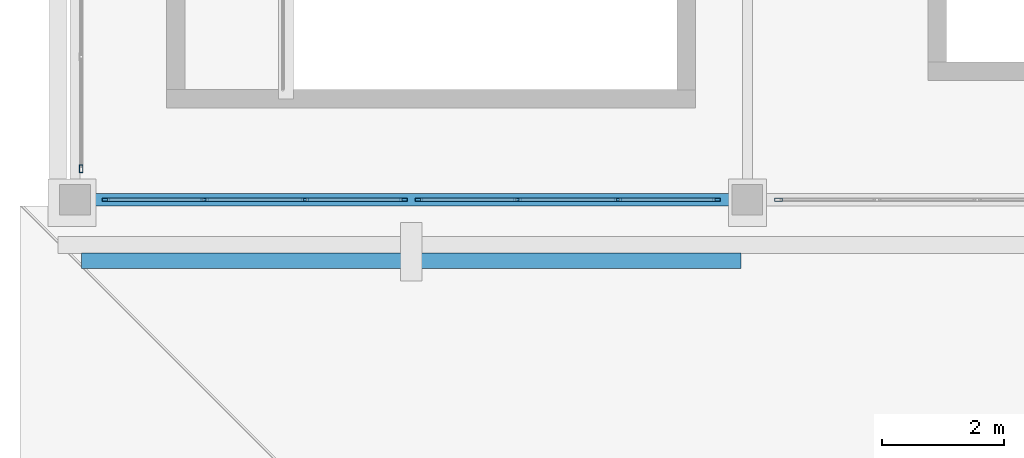
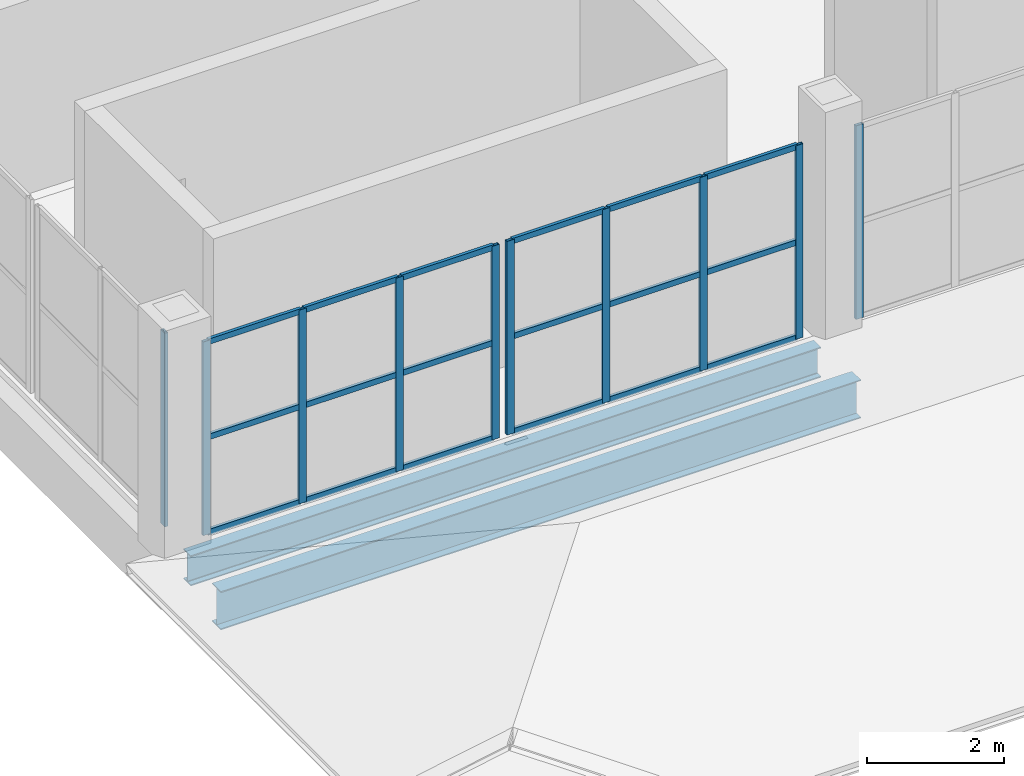
# One storey, part 2 of 26: 28 members, 2 beams, 4 elements without a shape of their own.
"""IFC4 building model written with IfcOpenShell, lengths in metres."""

from ifc_helpers import new_model, si_unit, direction, frame, origin, origin_2d, place, context, subcontext, project, spatial, hollow_rectangle, i_section, extrude, material, material_profile, profile_set, type_object, element, aggregate, save


model = new_model("IFC4")

# Units and contexts
model_context = context("Model", 3, precision=1e-05, world=origin(), true_north=direction((0.0, 1.0)))
body_context = subcontext(model_context, "Body", "Model", "MODEL_VIEW")
ifc_project = project(units=[si_unit("LENGTHUNIT", "METRE"), si_unit("AREAUNIT", "SQUARE_METRE"), si_unit("VOLUMEUNIT", "CUBIC_METRE"), si_unit("PLANEANGLEUNIT", "RADIAN"), si_unit("MASSUNIT", "GRAM", prefix="KILO")], contexts=[model_context])

# Site, building, storey
site_placement = place(None, origin())
site = spatial("IfcSite", under=ifc_project, at=site_placement, CompositionType="ELEMENT")
building_placement = place(site_placement, origin())
building = spatial("IfcBuilding", under=site, at=building_placement, Name="Caurita Quay Ferry Terminal", CompositionType="ELEMENT")
storey_placement = place(building_placement, frame((0.0, 0.0, 18.300048828125)))
storey = spatial("IfcBuildingStorey", under=building, at=storey_placement, Name="L04", CompositionType="ELEMENT", Elevation=18.300048828125)

# Beams
ifc_material_1 = material(Name="Structural steel ASTM A992 Gr. 50", Category="steel")
ifc_material_profile_1 = material_profile(ifc_material_1, i_section(OverallWidth=0.210693359375, OverallDepth=0.53857421875, WebThickness=0.01171875, FlangeThickness=0.018798828125, FilletRadius=0.013916015625, at=origin_2d()), Name="W21X73")
ifc_profile_set_1 = profile_set([ifc_material_profile_1], Name="Structural steel ASTM A992 Gr. 50")
beam_type_1 = type_object("IfcBeamType", Name="BM-GR-W21A", PredefinedType="BEAM", material=ifc_profile_set_1)
beam_1_placement = place(storey_placement, frame((0.19140625, 71.60009765625, -0.4892578125), z_axis=(1.0, 0.0, 0.0), x_axis=(0.0, 1.0, 0.0)))
element("IfcBeam", 1, at=beam_1_placement, inside=storey, type_object=beam_type_1, Name="L04 Beam BM-V5-L04-X-2-716", PredefinedType="BEAM", context=body_context, shape_type="SweptSolid", body=[
    extrude(i_section(OverallWidth=0.210693359375, OverallDepth=0.53857421875, WebThickness=0.01171875, FlangeThickness=0.018798828125, FilletRadius=0.013916015625, at=origin_2d()), origin(), (0.0, 0.0, 1.0), 10.6171875),
])
ifc_material_profile_2 = material_profile(ifc_material_1, i_section(OverallWidth=0.25390625, OverallDepth=0.68310546875, WebThickness=0.012451171875, FlangeThickness=0.018798828125, at=origin_2d()), Name="W27X94")
ifc_profile_set_2 = profile_set([ifc_material_profile_2], Name="Structural steel ASTM A992 Gr. 50")
beam_type_2 = type_object("IfcBeamType", Name="BM-GR-W27B", PredefinedType="BEAM", material=ifc_profile_set_2)
beam_2_placement = place(storey_placement, frame((0.10888671875, 70.60009765625, -0.551513671875), z_axis=(1.0, 0.0, 0.0), x_axis=(0.0, 1.0, 0.0)))
element("IfcBeam", 2, at=beam_2_placement, inside=storey, type_object=beam_type_2, Name="L04 Beam BM-V1-L04-X-1-706", PredefinedType="BEAM", context=body_context, shape_type="SweptSolid", body=[
    extrude(i_section(OverallWidth=0.25390625, OverallDepth=0.68310546875, WebThickness=0.012451171875, FlangeThickness=0.018798828125, at=origin_2d()), origin(), (0.0, 0.0, 1.0), 10.7822265625),
])

# Curtain wall, member
ifc_material_2 = material(Name="Laminated solar-control insulated glass", Category="glass")
curtain_wall_type_1 = type_object("IfcCurtainWallType", Name="CW-SYS-20", PredefinedType="NOTDEFINED", material=ifc_material_2)
curtain_wall_1_placement = place(storey_placement, origin())
curtain_wall_1 = element("IfcCurtainWall", 3, at=curtain_wall_1_placement, inside=storey, type_object=curtain_wall_type_1, Name="VTS Watch Panoramic Curtain Wall 142", PredefinedType="NOTDEFINED")
ifc_material_3 = material(Name="Anodized aluminium 6063-T6", Category="aluminium")
ifc_material_profile_3 = material_profile(ifc_material_3, hollow_rectangle(XDim=0.054931640625, YDim=0.125, WallThickness=0.00341796875, at=origin_2d()), Name="ALU-MUL-55X125")
ifc_profile_set_3 = profile_set([ifc_material_profile_3], Name="Anodized aluminium 6063-T6")
member_type_1 = type_object("IfcMemberType", Name="CW-MUL-125", PredefinedType="MULLION", material=ifc_profile_set_3)
member_1_placement = place(storey_placement, frame((0.10009765625, 72.107421875, 0.0), z_axis=(0.0, 0.0, 1.0), x_axis=(-1.0, 0.0, 0.0)))
member_1 = element("IfcMember", 4, at=member_1_placement, type_object=member_type_1, Name="CW-VTS-142 Mullion 1", PredefinedType="MULLION", context=body_context, shape_type="SweptSolid", body=[
    extrude(hollow_rectangle(XDim=0.054931640625, YDim=0.125, WallThickness=0.00341796875, at=origin_2d()), origin(), (0.0, 0.0, 1.0), 3.449951171875),
])
aggregate(curtain_wall_1, [member_1])

# Curtain wall, members
curtain_wall_type_2 = type_object("IfcCurtainWallType", Name="CW-SYS-22", PredefinedType="NOTDEFINED", material=ifc_material_2)
curtain_wall_2_placement = place(storey_placement, origin())
curtain_wall_2 = element("IfcCurtainWall", 5, at=curtain_wall_2_placement, inside=storey, type_object=curtain_wall_type_2, Name="VTS Harbour South Watch Curtain Wall 150", PredefinedType="NOTDEFINED")
member_2_placement = place(storey_placement, frame((0.507568359375, 71.60009765625, 0.0), z_axis=(0.0, 0.0, 1.0), x_axis=(0.0, 1.0, 0.0)))
member_2 = element("IfcMember", 6, at=member_2_placement, type_object=member_type_1, Name="CW-VTS-150 Mullion 1", PredefinedType="MULLION", context=body_context, shape_type="SweptSolid", body=[
    extrude(hollow_rectangle(XDim=0.054931640625, YDim=0.125, WallThickness=0.00341796875, at=origin_2d()), origin(), (0.0, 0.0, 1.0), 3.449951171875),
])
member_3_placement = place(storey_placement, frame((2.1201171875, 71.60009765625, 0.0), z_axis=(0.0, 0.0, 1.0), x_axis=(0.0, 1.0, 0.0)))
member_3 = element("IfcMember", 7, at=member_3_placement, type_object=member_type_1, Name="CW-VTS-150 Mullion 2", PredefinedType="MULLION", context=body_context, shape_type="SweptSolid", body=[
    extrude(hollow_rectangle(XDim=0.054931640625, YDim=0.125, WallThickness=0.00341796875, at=origin_2d()), origin(), (0.0, 0.0, 1.0), 3.449951171875),
])
member_4_placement = place(storey_placement, frame((3.760009765625, 71.60009765625, 0.0), z_axis=(0.0, 0.0, 1.0), x_axis=(0.0, 1.0, 0.0)))
member_4 = element("IfcMember", 8, at=member_4_placement, type_object=member_type_1, Name="CW-VTS-150 Mullion 3", PredefinedType="MULLION", context=body_context, shape_type="SweptSolid", body=[
    extrude(hollow_rectangle(XDim=0.054931640625, YDim=0.125, WallThickness=0.00341796875, at=origin_2d()), origin(), (0.0, 0.0, 1.0), 3.449951171875),
])
member_5_placement = place(storey_placement, frame((5.37255859375, 71.60009765625, 0.0), z_axis=(0.0, 0.0, 1.0), x_axis=(0.0, 1.0, 0.0)))
member_5 = element("IfcMember", 9, at=member_5_placement, type_object=member_type_1, Name="CW-VTS-150 Mullion 4", PredefinedType="MULLION", context=body_context, shape_type="SweptSolid", body=[
    extrude(hollow_rectangle(XDim=0.054931640625, YDim=0.125, WallThickness=0.00341796875, at=origin_2d()), origin(), (0.0, 0.0, 1.0), 3.449951171875),
])

curtain_wall_3_placement = place(storey_placement, origin())
curtain_wall_3 = element("IfcCurtainWall", 10, at=curtain_wall_3_placement, inside=storey, type_object=curtain_wall_type_2, Name="VTS Harbour South Watch Curtain Wall 151", PredefinedType="NOTDEFINED")
member_6_placement = place(storey_placement, frame((5.62744140625, 71.60009765625, 0.0), z_axis=(0.0, 0.0, 1.0), x_axis=(0.0, 1.0, 0.0)))
member_6 = element("IfcMember", 11, at=member_6_placement, type_object=member_type_1, Name="CW-VTS-151 Mullion 1", PredefinedType="MULLION", context=body_context, shape_type="SweptSolid", body=[
    extrude(hollow_rectangle(XDim=0.054931640625, YDim=0.125, WallThickness=0.00341796875, at=origin_2d()), origin(), (0.0, 0.0, 1.0), 3.449951171875),
])
member_7_placement = place(storey_placement, frame((7.239990234375, 71.60009765625, 0.0), z_axis=(0.0, 0.0, 1.0), x_axis=(0.0, 1.0, 0.0)))
member_7 = element("IfcMember", 12, at=member_7_placement, type_object=member_type_1, Name="CW-VTS-151 Mullion 2", PredefinedType="MULLION", context=body_context, shape_type="SweptSolid", body=[
    extrude(hollow_rectangle(XDim=0.054931640625, YDim=0.125, WallThickness=0.00341796875, at=origin_2d()), origin(), (0.0, 0.0, 1.0), 3.449951171875),
])
member_8_placement = place(storey_placement, frame((8.8798828125, 71.60009765625, 0.0), z_axis=(0.0, 0.0, 1.0), x_axis=(0.0, 1.0, 0.0)))
member_8 = element("IfcMember", 13, at=member_8_placement, type_object=member_type_1, Name="CW-VTS-151 Mullion 3", PredefinedType="MULLION", context=body_context, shape_type="SweptSolid", body=[
    extrude(hollow_rectangle(XDim=0.054931640625, YDim=0.125, WallThickness=0.00341796875, at=origin_2d()), origin(), (0.0, 0.0, 1.0), 3.449951171875),
])
member_9_placement = place(storey_placement, frame((10.492431640625, 71.60009765625, 0.0), z_axis=(0.0, 0.0, 1.0), x_axis=(0.0, 1.0, 0.0)))
member_9 = element("IfcMember", 14, at=member_9_placement, type_object=member_type_1, Name="CW-VTS-151 Mullion 4", PredefinedType="MULLION", context=body_context, shape_type="SweptSolid", body=[
    extrude(hollow_rectangle(XDim=0.054931640625, YDim=0.125, WallThickness=0.00341796875, at=origin_2d()), origin(), (0.0, 0.0, 1.0), 3.449951171875),
])

# Curtain wall, member
curtain_wall_4_placement = place(storey_placement, origin())
curtain_wall_4 = element("IfcCurtainWall", 15, at=curtain_wall_4_placement, inside=storey, type_object=curtain_wall_type_2, Name="VTS Harbour South Watch Curtain Wall 152", PredefinedType="NOTDEFINED")
member_10_placement = place(storey_placement, frame((11.507568359375, 71.60009765625, 0.0), z_axis=(0.0, 0.0, 1.0), x_axis=(0.0, 1.0, 0.0)))
member_10 = element("IfcMember", 16, at=member_10_placement, type_object=member_type_1, Name="CW-VTS-152 Mullion 1", PredefinedType="MULLION", context=body_context, shape_type="SweptSolid", body=[
    extrude(hollow_rectangle(XDim=0.054931640625, YDim=0.125, WallThickness=0.00341796875, at=origin_2d()), origin(), (0.0, 0.0, 1.0), 3.449951171875),
])
aggregate(curtain_wall_4, [member_10])

# Member
ifc_material_profile_4 = material_profile(ifc_material_3, hollow_rectangle(XDim=0.054931640625, YDim=0.10009765625, WallThickness=0.00341796875, at=origin_2d()), Name="ALU-TRN-55X100")
ifc_profile_set_4 = profile_set([ifc_material_profile_4], Name="Anodized aluminium 6063-T6")
member_type_2 = type_object("IfcMemberType", Name="CW-TRN-100", PredefinedType="USERDEFINED", material=ifc_profile_set_4)
member_11_placement = place(storey_placement, frame((0.532958984375, 71.60009765625, 0.02734375), z_axis=(1.0, 0.0, 0.0), x_axis=(0.0, 1.0, 0.0)))
member_11 = element("IfcMember", 17, at=member_11_placement, type_object=member_type_2, Name="CW-VTS-150 Transom 1", ObjectType="TRANSOM", PredefinedType="USERDEFINED", context=body_context, shape_type="SweptSolid", body=[
    extrude(hollow_rectangle(XDim=0.054931640625, YDim=0.10009765625, WallThickness=0.00341796875, at=origin_2d()), origin(), (0.0, 0.0, 1.0), 1.5615234375),
])

member_12_placement = place(storey_placement, frame((0.532958984375, 71.60009765625, 1.724853515625), z_axis=(1.0, 0.0, 0.0), x_axis=(0.0, 1.0, 0.0)))
member_12 = element("IfcMember", 18, at=member_12_placement, type_object=member_type_2, Name="CW-VTS-150 Transom 2", ObjectType="TRANSOM", PredefinedType="USERDEFINED", context=body_context, shape_type="SweptSolid", body=[
    extrude(hollow_rectangle(XDim=0.054931640625, YDim=0.10009765625, WallThickness=0.00341796875, at=origin_2d()), origin(), (0.0, 0.0, 1.0), 1.5615234375),
])

member_13_placement = place(storey_placement, frame((0.532958984375, 71.60009765625, 3.42236328125), z_axis=(1.0, 0.0, 0.0), x_axis=(0.0, 1.0, 0.0)))
member_13 = element("IfcMember", 19, at=member_13_placement, type_object=member_type_2, Name="CW-VTS-150 Transom 3", ObjectType="TRANSOM", PredefinedType="USERDEFINED", context=body_context, shape_type="SweptSolid", body=[
    extrude(hollow_rectangle(XDim=0.054931640625, YDim=0.10009765625, WallThickness=0.00341796875, at=origin_2d()), origin(), (0.0, 0.0, 1.0), 1.5615234375),
])

member_14_placement = place(storey_placement, frame((2.1455078125, 71.60009765625, 0.02734375), z_axis=(1.0, 0.0, 0.0), x_axis=(0.0, 1.0, 0.0)))
member_14 = element("IfcMember", 20, at=member_14_placement, type_object=member_type_2, Name="CW-VTS-150 Transom 4", ObjectType="TRANSOM", PredefinedType="USERDEFINED", context=body_context, shape_type="SweptSolid", body=[
    extrude(hollow_rectangle(XDim=0.054931640625, YDim=0.10009765625, WallThickness=0.00341796875, at=origin_2d()), origin(), (0.0, 0.0, 1.0), 1.589111328125),
])

member_15_placement = place(storey_placement, frame((2.1455078125, 71.60009765625, 1.724853515625), z_axis=(1.0, 0.0, 0.0), x_axis=(0.0, 1.0, 0.0)))
member_15 = element("IfcMember", 21, at=member_15_placement, type_object=member_type_2, Name="CW-VTS-150 Transom 5", ObjectType="TRANSOM", PredefinedType="USERDEFINED", context=body_context, shape_type="SweptSolid", body=[
    extrude(hollow_rectangle(XDim=0.054931640625, YDim=0.10009765625, WallThickness=0.00341796875, at=origin_2d()), origin(), (0.0, 0.0, 1.0), 1.589111328125),
])

member_16_placement = place(storey_placement, frame((2.1455078125, 71.60009765625, 3.42236328125), z_axis=(1.0, 0.0, 0.0), x_axis=(0.0, 1.0, 0.0)))
member_16 = element("IfcMember", 22, at=member_16_placement, type_object=member_type_2, Name="CW-VTS-150 Transom 6", ObjectType="TRANSOM", PredefinedType="USERDEFINED", context=body_context, shape_type="SweptSolid", body=[
    extrude(hollow_rectangle(XDim=0.054931640625, YDim=0.10009765625, WallThickness=0.00341796875, at=origin_2d()), origin(), (0.0, 0.0, 1.0), 1.589111328125),
])

member_17_placement = place(storey_placement, frame((3.785400390625, 71.60009765625, 0.02734375), z_axis=(1.0, 0.0, 0.0), x_axis=(0.0, 1.0, 0.0)))
member_17 = element("IfcMember", 23, at=member_17_placement, type_object=member_type_2, Name="CW-VTS-150 Transom 7", ObjectType="TRANSOM", PredefinedType="USERDEFINED", context=body_context, shape_type="SweptSolid", body=[
    extrude(hollow_rectangle(XDim=0.054931640625, YDim=0.10009765625, WallThickness=0.00341796875, at=origin_2d()), origin(), (0.0, 0.0, 1.0), 1.5615234375),
])

member_18_placement = place(storey_placement, frame((3.785400390625, 71.60009765625, 1.724853515625), z_axis=(1.0, 0.0, 0.0), x_axis=(0.0, 1.0, 0.0)))
member_18 = element("IfcMember", 24, at=member_18_placement, type_object=member_type_2, Name="CW-VTS-150 Transom 8", ObjectType="TRANSOM", PredefinedType="USERDEFINED", context=body_context, shape_type="SweptSolid", body=[
    extrude(hollow_rectangle(XDim=0.054931640625, YDim=0.10009765625, WallThickness=0.00341796875, at=origin_2d()), origin(), (0.0, 0.0, 1.0), 1.5615234375),
])

member_19_placement = place(storey_placement, frame((3.785400390625, 71.60009765625, 3.42236328125), z_axis=(1.0, 0.0, 0.0), x_axis=(0.0, 1.0, 0.0)))
member_19 = element("IfcMember", 25, at=member_19_placement, type_object=member_type_2, Name="CW-VTS-150 Transom 9", ObjectType="TRANSOM", PredefinedType="USERDEFINED", context=body_context, shape_type="SweptSolid", body=[
    extrude(hollow_rectangle(XDim=0.054931640625, YDim=0.10009765625, WallThickness=0.00341796875, at=origin_2d()), origin(), (0.0, 0.0, 1.0), 1.5615234375),
])

aggregate(curtain_wall_2, [member_2, member_3, member_4, member_5, member_11, member_12, member_13, member_14, member_15, member_16, member_17, member_18, member_19])

member_20_placement = place(storey_placement, frame((5.653076171875, 71.60009765625, 0.02734375), z_axis=(1.0, 0.0, 0.0), x_axis=(0.0, 1.0, 0.0)))
member_20 = element("IfcMember", 26, at=member_20_placement, type_object=member_type_2, Name="CW-VTS-151 Transom 1", ObjectType="TRANSOM", PredefinedType="USERDEFINED", context=body_context, shape_type="SweptSolid", body=[
    extrude(hollow_rectangle(XDim=0.054931640625, YDim=0.10009765625, WallThickness=0.00341796875, at=origin_2d()), origin(), (0.0, 0.0, 1.0), 1.5615234375),
])

member_21_placement = place(storey_placement, frame((5.653076171875, 71.60009765625, 1.724853515625), z_axis=(1.0, 0.0, 0.0), x_axis=(0.0, 1.0, 0.0)))
member_21 = element("IfcMember", 27, at=member_21_placement, type_object=member_type_2, Name="CW-VTS-151 Transom 2", ObjectType="TRANSOM", PredefinedType="USERDEFINED", context=body_context, shape_type="SweptSolid", body=[
    extrude(hollow_rectangle(XDim=0.054931640625, YDim=0.10009765625, WallThickness=0.00341796875, at=origin_2d()), origin(), (0.0, 0.0, 1.0), 1.5615234375),
])

member_22_placement = place(storey_placement, frame((5.653076171875, 71.60009765625, 3.42236328125), z_axis=(1.0, 0.0, 0.0), x_axis=(0.0, 1.0, 0.0)))
member_22 = element("IfcMember", 28, at=member_22_placement, type_object=member_type_2, Name="CW-VTS-151 Transom 3", ObjectType="TRANSOM", PredefinedType="USERDEFINED", context=body_context, shape_type="SweptSolid", body=[
    extrude(hollow_rectangle(XDim=0.054931640625, YDim=0.10009765625, WallThickness=0.00341796875, at=origin_2d()), origin(), (0.0, 0.0, 1.0), 1.5615234375),
])

member_23_placement = place(storey_placement, frame((7.265380859375, 71.60009765625, 0.02734375), z_axis=(1.0, 0.0, 0.0), x_axis=(0.0, 1.0, 0.0)))
member_23 = element("IfcMember", 29, at=member_23_placement, type_object=member_type_2, Name="CW-VTS-151 Transom 4", ObjectType="TRANSOM", PredefinedType="USERDEFINED", context=body_context, shape_type="SweptSolid", body=[
    extrude(hollow_rectangle(XDim=0.054931640625, YDim=0.10009765625, WallThickness=0.00341796875, at=origin_2d()), origin(), (0.0, 0.0, 1.0), 1.589111328125),
])

member_24_placement = place(storey_placement, frame((7.265380859375, 71.60009765625, 1.724853515625), z_axis=(1.0, 0.0, 0.0), x_axis=(0.0, 1.0, 0.0)))
member_24 = element("IfcMember", 30, at=member_24_placement, type_object=member_type_2, Name="CW-VTS-151 Transom 5", ObjectType="TRANSOM", PredefinedType="USERDEFINED", context=body_context, shape_type="SweptSolid", body=[
    extrude(hollow_rectangle(XDim=0.054931640625, YDim=0.10009765625, WallThickness=0.00341796875, at=origin_2d()), origin(), (0.0, 0.0, 1.0), 1.589111328125),
])

member_25_placement = place(storey_placement, frame((7.265380859375, 71.60009765625, 3.42236328125), z_axis=(1.0, 0.0, 0.0), x_axis=(0.0, 1.0, 0.0)))
member_25 = element("IfcMember", 31, at=member_25_placement, type_object=member_type_2, Name="CW-VTS-151 Transom 6", ObjectType="TRANSOM", PredefinedType="USERDEFINED", context=body_context, shape_type="SweptSolid", body=[
    extrude(hollow_rectangle(XDim=0.054931640625, YDim=0.10009765625, WallThickness=0.00341796875, at=origin_2d()), origin(), (0.0, 0.0, 1.0), 1.589111328125),
])

member_26_placement = place(storey_placement, frame((8.905517578125, 71.60009765625, 0.02734375), z_axis=(1.0, 0.0, 0.0), x_axis=(0.0, 1.0, 0.0)))
member_26 = element("IfcMember", 32, at=member_26_placement, type_object=member_type_2, Name="CW-VTS-151 Transom 7", ObjectType="TRANSOM", PredefinedType="USERDEFINED", context=body_context, shape_type="SweptSolid", body=[
    extrude(hollow_rectangle(XDim=0.054931640625, YDim=0.10009765625, WallThickness=0.00341796875, at=origin_2d()), origin(), (0.0, 0.0, 1.0), 1.5615234375),
])

member_27_placement = place(storey_placement, frame((8.905517578125, 71.60009765625, 1.724853515625), z_axis=(1.0, 0.0, 0.0), x_axis=(0.0, 1.0, 0.0)))
member_27 = element("IfcMember", 33, at=member_27_placement, type_object=member_type_2, Name="CW-VTS-151 Transom 8", ObjectType="TRANSOM", PredefinedType="USERDEFINED", context=body_context, shape_type="SweptSolid", body=[
    extrude(hollow_rectangle(XDim=0.054931640625, YDim=0.10009765625, WallThickness=0.00341796875, at=origin_2d()), origin(), (0.0, 0.0, 1.0), 1.5615234375),
])

member_28_placement = place(storey_placement, frame((8.905517578125, 71.60009765625, 3.42236328125), z_axis=(1.0, 0.0, 0.0), x_axis=(0.0, 1.0, 0.0)))
member_28 = element("IfcMember", 34, at=member_28_placement, type_object=member_type_2, Name="CW-VTS-151 Transom 9", ObjectType="TRANSOM", PredefinedType="USERDEFINED", context=body_context, shape_type="SweptSolid", body=[
    extrude(hollow_rectangle(XDim=0.054931640625, YDim=0.10009765625, WallThickness=0.00341796875, at=origin_2d()), origin(), (0.0, 0.0, 1.0), 1.5615234375),
])

aggregate(curtain_wall_3, [member_6, member_7, member_8, member_9, member_20, member_21, member_22, member_23, member_24, member_25, member_26, member_27, member_28])

save(model, "model.ifc")
